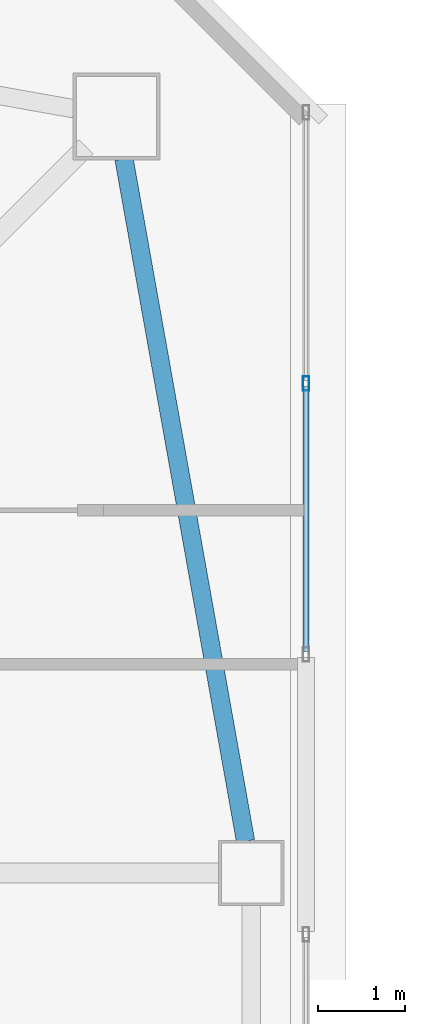
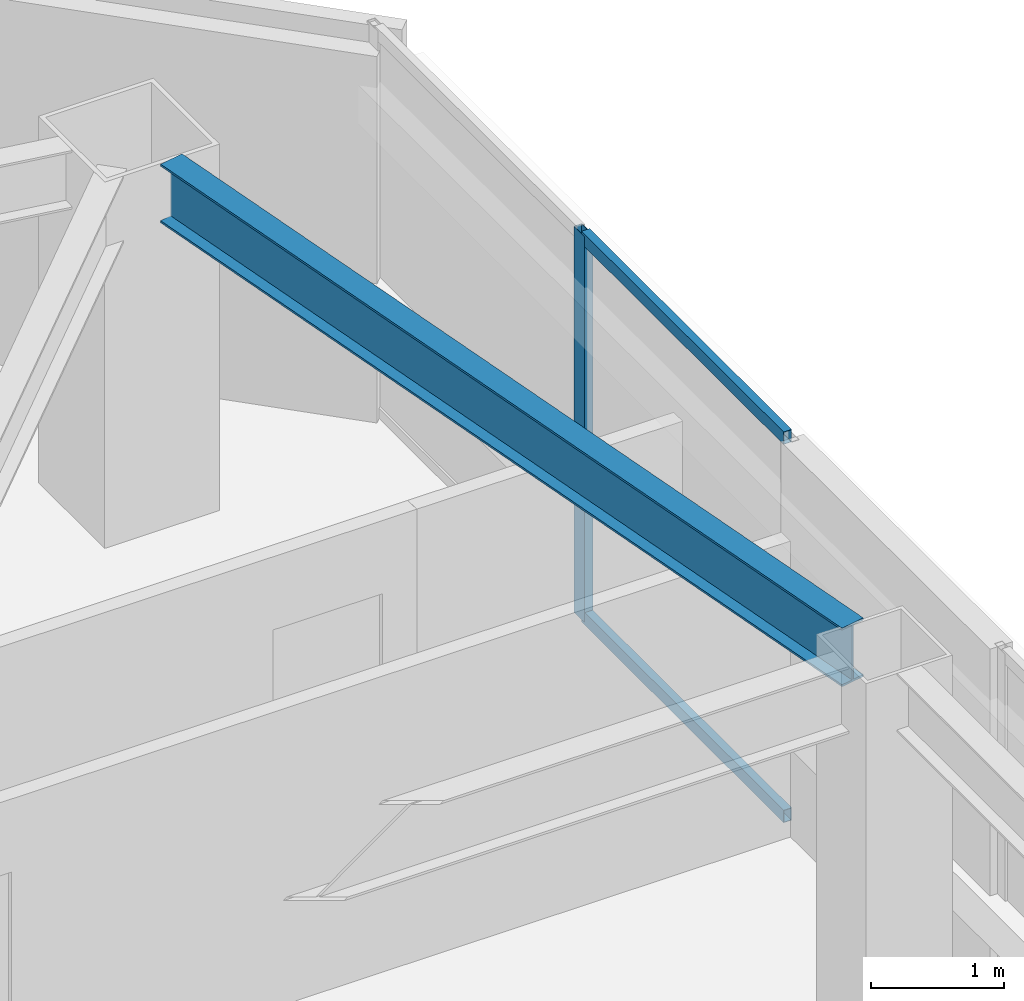
# One storey, part 11 of 39: 3 members, 1 beam, 1 element without a shape of its own.
"""IFC4 building model written with IfcOpenShell, lengths in metres."""

from ifc_helpers import new_model, si_unit, direction, frame, origin, origin_2d, place, context, subcontext, project, spatial, hollow_rectangle, i_section, extrude, material, material_profile, profile_set, type_object, element, aggregate, save


model = new_model("IFC4")

# Units and contexts
model_context = context("Model", 3, precision=1e-05, world=origin(), true_north=direction((0.0, 1.0)))
body_context = subcontext(model_context, "Body", "Model", "MODEL_VIEW")
ifc_project = project(units=[si_unit("LENGTHUNIT", "METRE"), si_unit("AREAUNIT", "SQUARE_METRE"), si_unit("VOLUMEUNIT", "CUBIC_METRE"), si_unit("PLANEANGLEUNIT", "RADIAN"), si_unit("MASSUNIT", "GRAM", prefix="KILO")], contexts=[model_context])

# Site, building, storey
site_placement = place(None, origin())
site = spatial("IfcSite", under=ifc_project, at=site_placement, CompositionType="ELEMENT")
building_placement = place(site_placement, origin())
building = spatial("IfcBuilding", under=site, at=building_placement, Name="Tashvorn Skyway Center", CompositionType="ELEMENT")
storey_placement = place(building_placement, frame((0.0, 0.0, 214.85009765625)))
storey = spatial("IfcBuildingStorey", under=building, at=storey_placement, Name="L58", CompositionType="ELEMENT", Elevation=214.85009765625)

# Beam
ifc_material_1 = material(Name="Steel ASTM A992 Grade 50", Category="steel")
ifc_material_profile_1 = material_profile(ifc_material_1, i_section(OverallWidth=0.2109375, OverallDepth=0.5390625, WebThickness=0.01171875, FlangeThickness=0.018798828125, at=origin_2d()), Name="W21X73")
ifc_profile_set_1 = profile_set([ifc_material_profile_1], Name="Steel ASTM A992 Grade 50")
beam_type = type_object("IfcBeamType", Name="BM-SPANDREL-W21X73", PredefinedType="SPANDREL", material=ifc_profile_set_1)
beam_placement = place(storey_placement, frame((57.585205078125, 37.76416015625, 3.100341796875), z_axis=(-0.17541329759, 0.984494883191, 0.0), x_axis=(-0.984494883191, -0.17541329759, 0.0)))
element("IfcBeam", 1, at=beam_placement, inside=storey, type_object=beam_type, Name="Tower 1 L58 Spandrel Beam 06", PredefinedType="SPANDREL", context=body_context, shape_type="SweptSolid", body=[
    extrude(i_section(OverallWidth=0.2109375, OverallDepth=0.5390625, WebThickness=0.01171875, FlangeThickness=0.018798828125, at=origin_2d()), origin(), (0.0, 0.0, 1.0), 7.97216796875),
])

# Curtain wall, members
ifc_material_2 = material(Name="Thermally broken bronze-anodized aluminium 6063-T6", Category="aluminium")
curtain_wall_type = type_object("IfcCurtainWallType", Name="CW-CW-Z5", PredefinedType="NOTDEFINED", material=ifc_material_2)
curtain_wall_placement = place(storey_placement, origin())
curtain_wall = element("IfcCurtainWall", 2, at=curtain_wall_placement, inside=storey, type_object=curtain_wall_type, Name="Tower 1 L58 East Unitised Curtain Wall Glazing Group 1", PredefinedType="NOTDEFINED")
ifc_material_profile_2 = material_profile(ifc_material_2, hollow_rectangle(XDim=0.070068359375, YDim=0.1650390625, WallThickness=0.00390625, at=origin_2d()), Name="ALU-MULL-70x165")
ifc_profile_set_2 = profile_set([ifc_material_profile_2], Name="Thermally broken bronze-anodized aluminium 6063-T6")
member_type_1 = type_object("IfcMemberType", Name="CWM-CW-Z5", PredefinedType="MULLION", material=ifc_profile_set_2)
member_1_placement = place(storey_placement, frame((58.280029296875, 43.02880859375, 0.0), z_axis=(0.0, 0.0, 1.0), x_axis=(1.0, 0.0, 0.0)))
member_1 = element("IfcMember", 3, at=member_1_placement, type_object=member_type_1, Name="CW-Z5 mullion 2", PredefinedType="MULLION", context=body_context, shape_type="SweptSolid", body=[
    extrude(hollow_rectangle(XDim=0.070068359375, YDim=0.1650390625, WallThickness=0.00390625, at=origin_2d()), origin(), (0.0, 0.0, 1.0), 3.5498046875),
])
ifc_material_profile_3 = material_profile(ifc_material_2, hollow_rectangle(XDim=0.070068359375, YDim=0.114990234375, WallThickness=0.00390625, at=origin_2d()), Name="ALU-TRAN-70x115")
ifc_profile_set_3 = profile_set([ifc_material_profile_3], Name="Thermally broken bronze-anodized aluminium 6063-T6")
member_type_2 = type_object("IfcMemberType", Name="CWT-CW-Z5", PredefinedType="USERDEFINED", material=ifc_profile_set_3)
member_2_placement = place(storey_placement, frame((58.280029296875, 42.993896484375, 0.034912109375), z_axis=(0.0, -1.0, 0.0), x_axis=(1.0, 0.0, 0.0)))
member_2 = element("IfcMember", 4, at=member_2_placement, type_object=member_type_2, Name="CW-Z5 transom 2.1", ObjectType="TRANSOM", PredefinedType="USERDEFINED", context=body_context, shape_type="SweptSolid", body=[
    extrude(hollow_rectangle(XDim=0.070068359375, YDim=0.114990234375, WallThickness=0.00390625, at=origin_2d()), origin(), (0.0, 0.0, 1.0), 3.046142578125),
])
member_3_placement = place(storey_placement, frame((58.280029296875, 42.993896484375, 3.514892578125), z_axis=(0.0, -1.0, 0.0), x_axis=(1.0, 0.0, 0.0)))
member_3 = element("IfcMember", 5, at=member_3_placement, type_object=member_type_2, Name="CW-Z5 transom 2.2", ObjectType="TRANSOM", PredefinedType="USERDEFINED", context=body_context, shape_type="SweptSolid", body=[
    extrude(hollow_rectangle(XDim=0.070068359375, YDim=0.114990234375, WallThickness=0.00390625, at=origin_2d()), origin(), (0.0, 0.0, 1.0), 3.046142578125),
])
aggregate(curtain_wall, [member_1, member_2, member_3])

save(model, "model.ifc")
